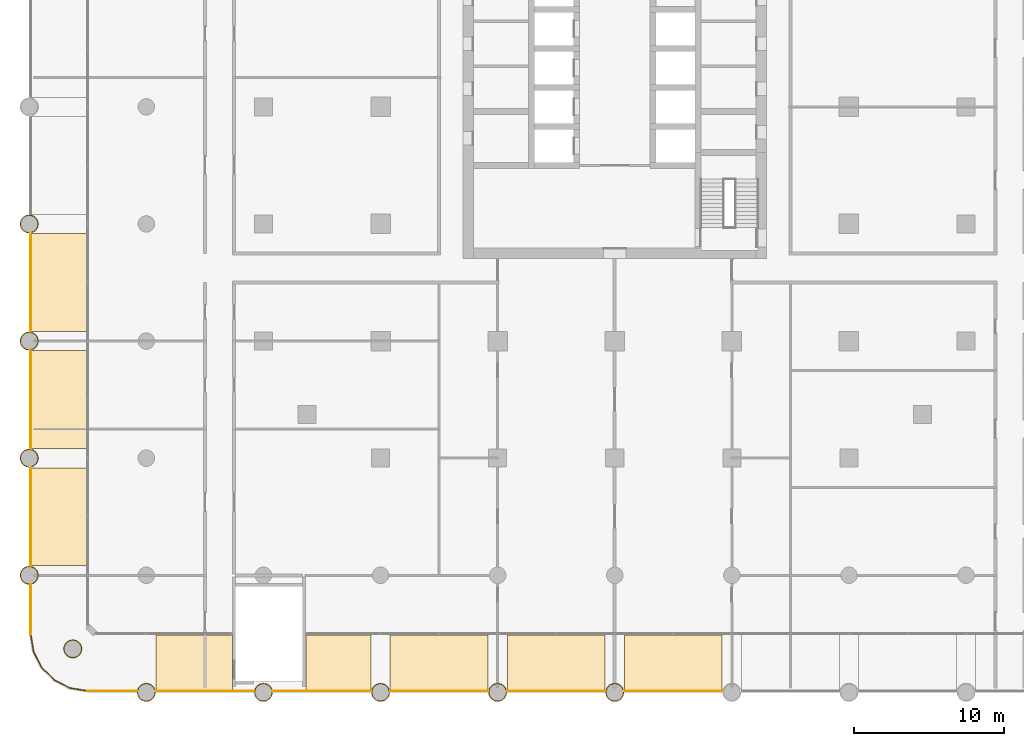
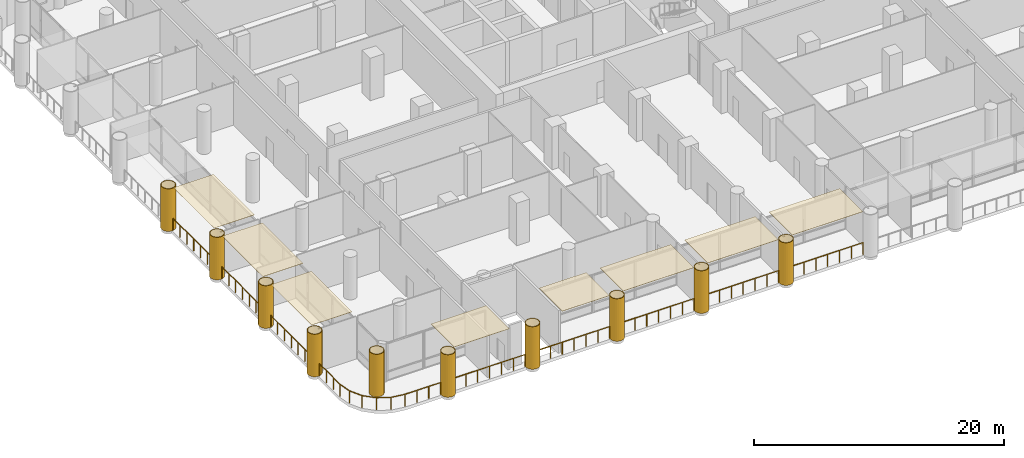
# One storey, part 19 of 23: 18 coverings, 11 railings.
"""IFC4 building model written with IfcOpenShell, lengths in metres."""

from ifc_helpers import new_model, si_unit, direction, frame, origin, origin_2d, place, context, subcontext, project, spatial, polyline, rectangle, circle, outline, extrude, material, layer, layer_set, type_object, element, save


model = new_model("IFC4")

# Units and contexts
model_context = context("Model", 3, precision=1e-05, world=origin(), true_north=direction((0.0, 1.0)))
body_context = subcontext(model_context, "Body", "Model", "MODEL_VIEW")
ifc_project = project(units=[si_unit("LENGTHUNIT", "METRE"), si_unit("AREAUNIT", "SQUARE_METRE"), si_unit("VOLUMEUNIT", "CUBIC_METRE"), si_unit("PLANEANGLEUNIT", "RADIAN"), si_unit("MASSUNIT", "GRAM", prefix="KILO")], contexts=[model_context])

# Site, building, storey
site_placement = place(None, origin())
site = spatial("IfcSite", under=ifc_project, at=site_placement, CompositionType="ELEMENT")
building_placement = place(site_placement, origin())
building = spatial("IfcBuilding", under=site, at=building_placement, Name="Ludao Terraces", CompositionType="ELEMENT")
storey_placement = place(building_placement, frame((0.0, 0.0, 10.5)))
storey = spatial("IfcBuildingStorey", under=building, at=storey_placement, Name="L02", CompositionType="ELEMENT", Elevation=10.5)

# Coverings
ifc_material_1 = material(Name="Stone-effect cement board ceiling lining", Category="masonry")
ifc_layer_1 = layer(ifc_material_1, 0.030029296875)
ifc_layer_set_1 = layer_set([ifc_layer_1], Name="ENV Arcade ceiling lining 30")
covering_type_1 = type_object("IfcCoveringType", Name="ENV Arcade ceiling lining 30", PredefinedType="CEILING", material=ifc_layer_set_1)
covering_1_placement = place(storey_placement, frame((56.985107421875, 27.9599609375, 4.169921875), z_axis=(0.0, 0.0, 1.0), x_axis=(1.0, 0.0, 0.0)))
element("IfcCovering", 1, at=covering_1_placement, inside=storey, type_object=covering_type_1, Name="CL-L02-S1", PredefinedType="CEILING", context=body_context, shape_type="SweptSolid", body=[
    extrude(rectangle(XDim=5.090087890625, YDim=3.719970703125, at=origin_2d()), origin(), (0.0, 0.0, 1.0), 0.030029296875),
])
covering_2_placement = place(storey_placement, frame((66.590087890625, 27.9599609375, 4.169921875), z_axis=(0.0, 0.0, 1.0), x_axis=(1.0, 0.0, 0.0)))
element("IfcCovering", 2, at=covering_2_placement, inside=storey, type_object=covering_type_1, Name="CL-L02-S2", PredefinedType="CEILING", context=body_context, shape_type="SweptSolid", body=[
    extrude(rectangle(XDim=4.340087890625, YDim=3.719970703125, at=origin_2d()), origin(), (0.0, 0.0, 1.0), 0.030029296875),
])
for number, where, z_axis, x_axis, name in (
    (3, (73.300048828125, 27.9599609375, 4.169921875), (0.0, 0.0, 1.0), (1.0, 0.0, 0.0), "CL-L02-S3"),
    (4, (81.10009765625, 27.9599609375, 4.169921875), (0.0, 0.0, 1.0), (1.0, 0.0, 0.0), "CL-L02-S4"),
    (5, (88.89990234375, 27.9599609375, 4.169921875), (0.0, 0.0, 1.0), (1.0, 0.0, 0.0), "CL-L02-S5"),
):
    element("IfcCovering", number, at=place(storey_placement, frame(where, z_axis=z_axis, x_axis=x_axis)), inside=storey, type_object=covering_type_1, Name=name, PredefinedType="CEILING", context=body_context, shape_type="SweptSolid", body=[
        extrude(rectangle(XDim=6.52001953125, YDim=3.719970703125, at=origin_2d()), origin(), (0.0, 0.0, 1.0), 0.030029296875),
    ])
for number, where, z_axis, x_axis, name in (
    (6, (47.9599609375, 37.699951171875, 4.169921875), (0.0, 0.0, 1.0), (1.0, 0.0, 0.0), "CL-L02-W1"),
    (7, (47.9599609375, 45.5, 4.169921875), (0.0, 0.0, 1.0), (1.0, 0.0, 0.0), "CL-L02-W2"),
    (8, (47.9599609375, 53.300048828125, 4.169921875), (0.0, 0.0, 1.0), (1.0, 0.0, 0.0), "CL-L02-W3"),
):
    element("IfcCovering", number, at=place(storey_placement, frame(where, z_axis=z_axis, x_axis=x_axis)), inside=storey, type_object=covering_type_1, Name=name, PredefinedType="CEILING", context=body_context, shape_type="SweptSolid", body=[
        extrude(rectangle(XDim=3.719970703125, YDim=6.52001953125, at=origin_2d()), origin(), (0.0, 0.0, 1.0), 0.030029296875),
    ])

# Railings
ifc_material_2 = material(Name="Steel Q235", Category="steel")
railing_type = type_object("IfcRailingType", Name="ENV Open-edge guard 1200", PredefinedType="GUARDRAIL", material=ifc_material_2)
railing_1_placement = place(storey_placement, frame((49.89990234375, 26.10009765625, 0.0)))
element("IfcRailing", 9, at=railing_1_placement, inside=storey, type_object=railing_type, Name="Guard L02 S1", PredefinedType="GUARDRAIL", context=body_context, shape_type="SweptSolid", body=[
    extrude(circle(Radius=0.02392578125, at=origin_2d()), frame((0.0, 0.0, 1.17578125), z_axis=(1.0, 0.0, 0.0), x_axis=(0.0, 1.0, 0.0)), (0.0, 0.0, 1.0), 3.280029296875),
    extrude(circle(Radius=0.02099609375, at=origin_2d()), origin(), (0.0, 0.0, 1.0), 1.15185546875),
    extrude(circle(Radius=0.02099609375, at=origin_2d()), frame((1.09326171875, 0.0, 0.0)), (0.0, 0.0, 1.0), 1.15185546875),
    extrude(circle(Radius=0.02099609375, at=origin_2d()), frame((2.186767578125, 0.0, 0.0)), (0.0, 0.0, 1.0), 1.15185546875),
    extrude(circle(Radius=0.02099609375, at=origin_2d()), frame((3.280029296875, 0.0, 0.0)), (0.0, 0.0, 1.0), 1.15185546875),
])
for number, where, name in (
    (10, (54.419921875, 26.10009765625, 0.0), "Guard L02 S2"),
    (11, (62.219970703125, 26.10009765625, 0.0), "Guard L02 S3"),
    (12, (70.02001953125, 26.10009765625, 0.0), "Guard L02 S4"),
):
    element("IfcRailing", number, at=place(storey_placement, frame(where)), inside=storey, type_object=railing_type, Name=name, PredefinedType="GUARDRAIL", context=body_context, shape_type="SweptSolid", body=[
        extrude(circle(Radius=0.02392578125, at=origin_2d()), frame((0.0, 0.0, 1.17578125), z_axis=(1.0, 0.0, 0.0), x_axis=(0.0, 1.0, 0.0)), (0.0, 0.0, 1.0), 6.56005859375),
        extrude(circle(Radius=0.02099609375, at=origin_2d()), origin(), (0.0, 0.0, 1.0), 1.15185546875),
        extrude(circle(Radius=0.02099609375, at=origin_2d()), frame((1.09326171875, 0.0, 0.0)), (0.0, 0.0, 1.0), 1.15185546875),
        extrude(circle(Radius=0.02099609375, at=origin_2d()), frame((2.186767578125, 0.0, 0.0)), (0.0, 0.0, 1.0), 1.15185546875),
        extrude(circle(Radius=0.02099609375, at=origin_2d()), frame((3.280029296875, 0.0, 0.0)), (0.0, 0.0, 1.0), 1.15185546875),
        extrude(circle(Radius=0.02099609375, at=origin_2d()), frame((4.373291015625, 0.0, 0.0)), (0.0, 0.0, 1.0), 1.15185546875),
        extrude(circle(Radius=0.02099609375, at=origin_2d()), frame((5.466796875, 0.0, 0.0)), (0.0, 0.0, 1.0), 1.15185546875),
        extrude(circle(Radius=0.02099609375, at=origin_2d()), frame((6.56005859375, 0.0, 0.0)), (0.0, 0.0, 1.0), 1.15185546875),
    ])
for number, where, name in (
    (13, (77.820068359375, 26.10009765625, 0.0), "Guard L02 S5"),
    (14, (85.6201171875, 26.10009765625, 0.0), "Guard L02 S6"),
):
    element("IfcRailing", number, at=place(storey_placement, frame(where)), inside=storey, type_object=railing_type, Name=name, PredefinedType="GUARDRAIL", context=body_context, shape_type="SweptSolid", body=[
        extrude(circle(Radius=0.02392578125, at=origin_2d()), frame((0.0, 0.0, 1.17578125), z_axis=(1.0, 0.0, 0.0), x_axis=(0.0, 1.0, 0.0)), (0.0, 0.0, 1.0), 6.559814453125),
        extrude(circle(Radius=0.02099609375, at=origin_2d()), origin(), (0.0, 0.0, 1.0), 1.15185546875),
        extrude(circle(Radius=0.02099609375, at=origin_2d()), frame((1.09326171875, 0.0, 0.0)), (0.0, 0.0, 1.0), 1.15185546875),
        extrude(circle(Radius=0.02099609375, at=origin_2d()), frame((2.1865234375, 0.0, 0.0)), (0.0, 0.0, 1.0), 1.15185546875),
        extrude(circle(Radius=0.02099609375, at=origin_2d()), frame((3.27978515625, 0.0, 0.0)), (0.0, 0.0, 1.0), 1.15185546875),
        extrude(circle(Radius=0.02099609375, at=origin_2d()), frame((4.373291015625, 0.0, 0.0)), (0.0, 0.0, 1.0), 1.15185546875),
        extrude(circle(Radius=0.02099609375, at=origin_2d()), frame((5.466552734375, 0.0, 0.0)), (0.0, 0.0, 1.0), 1.15185546875),
        extrude(circle(Radius=0.02099609375, at=origin_2d()), frame((6.559814453125, 0.0, 0.0)), (0.0, 0.0, 1.0), 1.15185546875),
    ])
railing_2_placement = place(storey_placement, frame((46.10009765625, 29.89990234375, 0.0)))
element("IfcRailing", 15, at=railing_2_placement, inside=storey, type_object=railing_type, Name="Guard L02 W1", PredefinedType="GUARDRAIL", context=body_context, shape_type="SweptSolid", body=[
    extrude(circle(Radius=0.02392578125, at=origin_2d()), frame((0.0, 0.0, 1.17578125), z_axis=(0.0, 1.0, 0.0), x_axis=(-1.0, 0.0, 0.0)), (0.0, 0.0, 1.0), 3.280029296875),
    extrude(circle(Radius=0.02099609375, at=origin_2d()), origin(), (0.0, 0.0, 1.0), 1.15185546875),
    extrude(circle(Radius=0.02099609375, at=origin_2d()), frame((0.0, 1.09326171875, 0.0)), (0.0, 0.0, 1.0), 1.15185546875),
    extrude(circle(Radius=0.02099609375, at=origin_2d()), frame((0.0, 2.186767578125, 0.0)), (0.0, 0.0, 1.0), 1.15185546875),
    extrude(circle(Radius=0.02099609375, at=origin_2d()), frame((0.0, 3.280029296875, 0.0)), (0.0, 0.0, 1.0), 1.15185546875),
])
for number, where, name in (
    (16, (46.10009765625, 34.419921875, 0.0), "Guard L02 W2"),
    (17, (46.10009765625, 42.219970703125, 0.0), "Guard L02 W3"),
    (18, (46.10009765625, 50.02001953125, 0.0), "Guard L02 W4"),
):
    element("IfcRailing", number, at=place(storey_placement, frame(where)), inside=storey, type_object=railing_type, Name=name, PredefinedType="GUARDRAIL", context=body_context, shape_type="SweptSolid", body=[
        extrude(circle(Radius=0.02392578125, at=origin_2d()), frame((0.0, 0.0, 1.17578125), z_axis=(0.0, 1.0, 0.0), x_axis=(-1.0, 0.0, 0.0)), (0.0, 0.0, 1.0), 6.56005859375),
        extrude(circle(Radius=0.02099609375, at=origin_2d()), origin(), (0.0, 0.0, 1.0), 1.15185546875),
        extrude(circle(Radius=0.02099609375, at=origin_2d()), frame((0.0, 1.09326171875, 0.0)), (0.0, 0.0, 1.0), 1.15185546875),
        extrude(circle(Radius=0.02099609375, at=origin_2d()), frame((0.0, 2.186767578125, 0.0)), (0.0, 0.0, 1.0), 1.15185546875),
        extrude(circle(Radius=0.02099609375, at=origin_2d()), frame((0.0, 3.280029296875, 0.0)), (0.0, 0.0, 1.0), 1.15185546875),
        extrude(circle(Radius=0.02099609375, at=origin_2d()), frame((0.0, 4.373291015625, 0.0)), (0.0, 0.0, 1.0), 1.15185546875),
        extrude(circle(Radius=0.02099609375, at=origin_2d()), frame((0.0, 5.466796875, 0.0)), (0.0, 0.0, 1.0), 1.15185546875),
        extrude(circle(Radius=0.02099609375, at=origin_2d()), frame((0.0, 6.56005859375, 0.0)), (0.0, 0.0, 1.0), 1.15185546875),
    ])
railing_3_placement = place(storey_placement, frame((46.10009765625, 29.89990234375, 0.0)))
element("IfcRailing", 19, at=railing_3_placement, inside=storey, type_object=railing_type, Name="Guard L02 SW", PredefinedType="GUARDRAIL", context=body_context, shape_type="SweptSolid", body=[
    extrude(circle(Radius=0.02392578125, at=origin_2d()), frame((0.0, 0.0, 1.17578125), z_axis=(0.156300066377, -0.987709617879, 0.0), x_axis=(0.987709617879, 0.156300066377, 0.0)), (0.0, 0.0, 1.0), 1.188720703125),
    extrude(circle(Radius=0.02392578125, at=origin_2d()), frame((0.185791015625, -1.174072265625, 1.17578125), z_axis=(0.454018062405, -0.890992479772, 0.0), x_axis=(0.890992479772, 0.454018062405, 0.0)), (0.0, 0.0, 1.0), 1.18896484375),
    extrude(circle(Radius=0.02392578125, at=origin_2d()), frame((0.7255859375, -2.2333984375, 1.17578125), z_axis=(0.707106781187, -0.707106781187, 0.0), x_axis=(0.707106781187, 0.707106781187, 0.0)), (0.0, 0.0, 1.0), 1.189208984375),
    extrude(circle(Radius=0.02392578125, at=origin_2d()), frame((1.56640625, -3.07421875, 1.17578125), z_axis=(0.890992479772, -0.454018062405, 0.0), x_axis=(0.454018062405, 0.890992479772, 0.0)), (0.0, 0.0, 1.0), 1.18896484375),
    extrude(circle(Radius=0.02392578125, at=origin_2d()), frame((2.625732421875, -3.614013671875, 1.17578125), z_axis=(0.987709617879, -0.156300066377, 0.0), x_axis=(0.156300066377, 0.987709617879, 0.0)), (0.0, 0.0, 1.0), 1.188720703125),
    extrude(circle(Radius=0.02099609375, at=origin_2d()), origin(), (0.0, 0.0, 1.0), 1.15185546875),
    extrude(circle(Radius=0.02099609375, at=origin_2d()), frame((0.185791015625, -1.174072265625, 0.0)), (0.0, 0.0, 1.0), 1.15185546875),
    extrude(circle(Radius=0.02099609375, at=origin_2d()), frame((0.7255859375, -2.2333984375, 0.0)), (0.0, 0.0, 1.0), 1.15185546875),
    extrude(circle(Radius=0.02099609375, at=origin_2d()), frame((1.56640625, -3.07421875, 0.0)), (0.0, 0.0, 1.0), 1.15185546875),
    extrude(circle(Radius=0.02099609375, at=origin_2d()), frame((2.625732421875, -3.614013671875, 0.0)), (0.0, 0.0, 1.0), 1.15185546875),
    extrude(circle(Radius=0.02099609375, at=origin_2d()), frame((3.7998046875, -3.7998046875, 0.0)), (0.0, 0.0, 1.0), 1.15185546875),
])

# Coverings
ifc_material_3 = material(Name="Granite cladding", Category="masonry")
ifc_layer_2 = layer(ifc_material_3, 0.06005859375)
ifc_layer_set_2 = layer_set([ifc_layer_2], Name="ENV Stone column casing 60")
covering_type_2 = type_object("IfcCoveringType", Name="ENV Stone column casing 60", PredefinedType="CLADDING", material=ifc_layer_set_2)
covering_3_placement = place(storey_placement, origin())
element("IfcCovering", 20, at=covering_3_placement, inside=storey, type_object=covering_type_2, Name="CC-L02-G-127x-127", PredefinedType="CLADDING", context=body_context, shape_type="SweptSolid", body=[
    extrude(outline(polyline([(49.5146484375, 28.89990234375), (49.493896484375, 29.05908203125), (49.432373046875, 29.207275390625), (49.334716796875, 29.334716796875), (49.207275390625, 29.432373046875), (49.05908203125, 29.493896484375), (48.89990234375, 29.5146484375), (48.740966796875, 29.493896484375), (48.592529296875, 29.432373046875), (48.46533203125, 29.334716796875), (48.36767578125, 29.207275390625), (48.30615234375, 29.05908203125), (48.28515625, 28.89990234375), (48.30615234375, 28.740966796875), (48.36767578125, 28.592529296875), (48.46533203125, 28.46533203125), (48.592529296875, 28.36767578125), (48.740966796875, 28.30615234375), (48.89990234375, 28.28515625), (49.05908203125, 28.30615234375), (49.207275390625, 28.36767578125), (49.334716796875, 28.46533203125), (49.432373046875, 28.592529296875), (49.493896484375, 28.740966796875), (49.5146484375, 28.89990234375)]), holes=[polyline([(49.435791015625, 28.75634765625), (49.38037109375, 28.62255859375), (49.292236328125, 28.5078125), (49.177490234375, 28.419677734375), (49.04345703125, 28.3642578125), (48.89990234375, 28.34521484375), (48.75634765625, 28.3642578125), (48.62255859375, 28.419677734375), (48.5078125, 28.5078125), (48.419677734375, 28.62255859375), (48.3642578125, 28.75634765625), (48.34521484375, 28.89990234375), (48.3642578125, 29.04345703125), (48.419677734375, 29.177490234375), (48.5078125, 29.292236328125), (48.62255859375, 29.38037109375), (48.75634765625, 29.435791015625), (48.89990234375, 29.454833984375), (49.04345703125, 29.435791015625), (49.177490234375, 29.38037109375), (49.292236328125, 29.292236328125), (49.38037109375, 29.177490234375), (49.435791015625, 29.04345703125), (49.454833984375, 28.89990234375), (49.435791015625, 28.75634765625)])]), origin(), (0.0, 0.0, 1.0), 4.14990234375),
])
covering_4_placement = place(storey_placement, origin())
element("IfcCovering", 21, at=covering_4_placement, inside=storey, type_object=covering_type_2, Name="CC-L02-G-156x-078", PredefinedType="CLADDING", context=body_context, shape_type="SweptSolid", body=[
    extrude(outline(polyline([(46.61474609375, 33.800048828125), (46.59375, 33.959228515625), (46.532470703125, 34.107421875), (46.4345703125, 34.234619140625), (46.307373046875, 34.332275390625), (46.1591796875, 34.393798828125), (46.0, 34.414794921875), (45.8408203125, 34.393798828125), (45.692626953125, 34.332275390625), (45.5654296875, 34.234619140625), (45.467529296875, 34.107421875), (45.40625, 33.959228515625), (45.38525390625, 33.800048828125), (45.40625, 33.640869140625), (45.467529296875, 33.49267578125), (45.5654296875, 33.365234375), (45.692626953125, 33.267578125), (45.8408203125, 33.206298828125), (46.0, 33.185302734375), (46.1591796875, 33.206298828125), (46.307373046875, 33.267578125), (46.4345703125, 33.365234375), (46.532470703125, 33.49267578125), (46.59375, 33.640869140625), (46.61474609375, 33.800048828125)]), holes=[polyline([(46.535888671875, 33.656494140625), (46.48046875, 33.522705078125), (46.392333984375, 33.40771484375), (46.27734375, 33.319580078125), (46.1435546875, 33.26416015625), (46.0, 33.245361328125), (45.8564453125, 33.26416015625), (45.72265625, 33.319580078125), (45.607666015625, 33.40771484375), (45.51953125, 33.522705078125), (45.464111328125, 33.656494140625), (45.4453125, 33.800048828125), (45.464111328125, 33.943603515625), (45.51953125, 34.077392578125), (45.607666015625, 34.1923828125), (45.72265625, 34.280517578125), (45.8564453125, 34.3359375), (46.0, 34.354736328125), (46.1435546875, 34.3359375), (46.27734375, 34.280517578125), (46.392333984375, 34.1923828125), (46.48046875, 34.077392578125), (46.535888671875, 33.943603515625), (46.5546875, 33.800048828125), (46.535888671875, 33.656494140625)])]), origin(), (0.0, 0.0, 1.0), 4.14990234375),
])
covering_5_placement = place(storey_placement, origin())
element("IfcCovering", 22, at=covering_5_placement, inside=storey, type_object=covering_type_2, Name="CC-L02-G-156x0000", PredefinedType="CLADDING", context=body_context, shape_type="SweptSolid", body=[
    extrude(outline(polyline([(46.61474609375, 41.60009765625), (46.59375, 41.759033203125), (46.532470703125, 41.907470703125), (46.4345703125, 42.03466796875), (46.307373046875, 42.13232421875), (46.1591796875, 42.19384765625), (46.0, 42.21484375), (45.8408203125, 42.19384765625), (45.692626953125, 42.13232421875), (45.5654296875, 42.03466796875), (45.467529296875, 41.907470703125), (45.40625, 41.759033203125), (45.38525390625, 41.60009765625), (45.40625, 41.44091796875), (45.467529296875, 41.292724609375), (45.5654296875, 41.165283203125), (45.692626953125, 41.067626953125), (45.8408203125, 41.006103515625), (46.0, 40.9853515625), (46.1591796875, 41.006103515625), (46.307373046875, 41.067626953125), (46.4345703125, 41.165283203125), (46.532470703125, 41.292724609375), (46.59375, 41.44091796875), (46.61474609375, 41.60009765625)]), holes=[polyline([(46.535888671875, 41.45654296875), (46.48046875, 41.322509765625), (46.392333984375, 41.207763671875), (46.27734375, 41.11962890625), (46.1435546875, 41.064208984375), (46.0, 41.045166015625), (45.8564453125, 41.064208984375), (45.72265625, 41.11962890625), (45.607666015625, 41.207763671875), (45.51953125, 41.322509765625), (45.464111328125, 41.45654296875), (45.4453125, 41.60009765625), (45.464111328125, 41.74365234375), (45.51953125, 41.87744140625), (45.607666015625, 41.9921875), (45.72265625, 42.080322265625), (45.8564453125, 42.1357421875), (46.0, 42.15478515625), (46.1435546875, 42.1357421875), (46.27734375, 42.080322265625), (46.392333984375, 41.9921875), (46.48046875, 41.87744140625), (46.535888671875, 41.74365234375), (46.5546875, 41.60009765625), (46.535888671875, 41.45654296875)])]), origin(), (0.0, 0.0, 1.0), 4.14990234375),
])
covering_6_placement = place(storey_placement, origin())
element("IfcCovering", 23, at=covering_6_placement, inside=storey, type_object=covering_type_2, Name="CC-L02-G-156x0078", PredefinedType="CLADDING", context=body_context, shape_type="SweptSolid", body=[
    extrude(outline(polyline([(46.61474609375, 49.39990234375), (46.59375, 49.55908203125), (46.532470703125, 49.707275390625), (46.4345703125, 49.834716796875), (46.307373046875, 49.932373046875), (46.1591796875, 49.993896484375), (46.0, 50.0146484375), (45.8408203125, 49.993896484375), (45.692626953125, 49.932373046875), (45.5654296875, 49.834716796875), (45.467529296875, 49.707275390625), (45.40625, 49.55908203125), (45.38525390625, 49.39990234375), (45.40625, 49.240966796875), (45.467529296875, 49.092529296875), (45.5654296875, 48.96533203125), (45.692626953125, 48.86767578125), (45.8408203125, 48.80615234375), (46.0, 48.78515625), (46.1591796875, 48.80615234375), (46.307373046875, 48.86767578125), (46.4345703125, 48.96533203125), (46.532470703125, 49.092529296875), (46.59375, 49.240966796875), (46.61474609375, 49.39990234375)]), holes=[polyline([(46.535888671875, 49.25634765625), (46.48046875, 49.12255859375), (46.392333984375, 49.0078125), (46.27734375, 48.919677734375), (46.1435546875, 48.8642578125), (46.0, 48.84521484375), (45.8564453125, 48.8642578125), (45.72265625, 48.919677734375), (45.607666015625, 49.0078125), (45.51953125, 49.12255859375), (45.464111328125, 49.25634765625), (45.4453125, 49.39990234375), (45.464111328125, 49.54345703125), (45.51953125, 49.677490234375), (45.607666015625, 49.792236328125), (45.72265625, 49.88037109375), (45.8564453125, 49.935791015625), (46.0, 49.954833984375), (46.1435546875, 49.935791015625), (46.27734375, 49.88037109375), (46.392333984375, 49.792236328125), (46.48046875, 49.677490234375), (46.535888671875, 49.54345703125), (46.5546875, 49.39990234375), (46.535888671875, 49.25634765625)])]), origin(), (0.0, 0.0, 1.0), 4.14990234375),
])
covering_7_placement = place(storey_placement, origin())
element("IfcCovering", 24, at=covering_7_placement, inside=storey, type_object=covering_type_2, Name="CC-L02-G-156x0156", PredefinedType="CLADDING", context=body_context, shape_type="SweptSolid", body=[
    extrude(outline(polyline([(46.61474609375, 57.199951171875), (46.59375, 57.359130859375), (46.532470703125, 57.50732421875), (46.4345703125, 57.634765625), (46.307373046875, 57.732421875), (46.1591796875, 57.793701171875), (46.0, 57.814697265625), (45.8408203125, 57.793701171875), (45.692626953125, 57.732421875), (45.5654296875, 57.634765625), (45.467529296875, 57.50732421875), (45.40625, 57.359130859375), (45.38525390625, 57.199951171875), (45.40625, 57.040771484375), (45.467529296875, 56.892578125), (45.5654296875, 56.765380859375), (45.692626953125, 56.667724609375), (45.8408203125, 56.606201171875), (46.0, 56.585205078125), (46.1591796875, 56.606201171875), (46.307373046875, 56.667724609375), (46.4345703125, 56.765380859375), (46.532470703125, 56.892578125), (46.59375, 57.040771484375), (46.61474609375, 57.199951171875)]), holes=[polyline([(46.535888671875, 57.056396484375), (46.48046875, 56.922607421875), (46.392333984375, 56.8076171875), (46.27734375, 56.719482421875), (46.1435546875, 56.6640625), (46.0, 56.645263671875), (45.8564453125, 56.6640625), (45.72265625, 56.719482421875), (45.607666015625, 56.8076171875), (45.51953125, 56.922607421875), (45.464111328125, 57.056396484375), (45.4453125, 57.199951171875), (45.464111328125, 57.343505859375), (45.51953125, 57.477294921875), (45.607666015625, 57.59228515625), (45.72265625, 57.680419921875), (45.8564453125, 57.73583984375), (46.0, 57.754638671875), (46.1435546875, 57.73583984375), (46.27734375, 57.680419921875), (46.392333984375, 57.59228515625), (46.48046875, 57.477294921875), (46.535888671875, 57.343505859375), (46.5546875, 57.199951171875), (46.535888671875, 57.056396484375)])]), origin(), (0.0, 0.0, 1.0), 4.14990234375),
])
covering_8_placement = place(storey_placement, origin())
element("IfcCovering", 25, at=covering_8_placement, inside=storey, type_object=covering_type_2, Name="CC-L02-G-078x-156", PredefinedType="CLADDING", context=body_context, shape_type="SweptSolid", body=[
    extrude(outline(polyline([(54.414794921875, 26.0), (54.393798828125, 26.1591796875), (54.332275390625, 26.307373046875), (54.234619140625, 26.4345703125), (54.107421875, 26.532470703125), (53.959228515625, 26.59375), (53.800048828125, 26.61474609375), (53.640869140625, 26.59375), (53.49267578125, 26.532470703125), (53.365234375, 26.4345703125), (53.267578125, 26.307373046875), (53.206298828125, 26.1591796875), (53.185302734375, 26.0), (53.206298828125, 25.8408203125), (53.267578125, 25.692626953125), (53.365234375, 25.5654296875), (53.49267578125, 25.467529296875), (53.640869140625, 25.40625), (53.800048828125, 25.38525390625), (53.959228515625, 25.40625), (54.107421875, 25.467529296875), (54.234619140625, 25.5654296875), (54.332275390625, 25.692626953125), (54.393798828125, 25.8408203125), (54.414794921875, 26.0)]), holes=[polyline([(54.3359375, 25.8564453125), (54.280517578125, 25.72265625), (54.1923828125, 25.607666015625), (54.077392578125, 25.51953125), (53.943603515625, 25.464111328125), (53.800048828125, 25.4453125), (53.656494140625, 25.464111328125), (53.522705078125, 25.51953125), (53.40771484375, 25.607666015625), (53.319580078125, 25.72265625), (53.26416015625, 25.8564453125), (53.245361328125, 26.0), (53.26416015625, 26.1435546875), (53.319580078125, 26.27734375), (53.40771484375, 26.392333984375), (53.522705078125, 26.48046875), (53.656494140625, 26.535888671875), (53.800048828125, 26.5546875), (53.943603515625, 26.535888671875), (54.077392578125, 26.48046875), (54.1923828125, 26.392333984375), (54.280517578125, 26.27734375), (54.3359375, 26.1435546875), (54.354736328125, 26.0), (54.3359375, 25.8564453125)])]), origin(), (0.0, 0.0, 1.0), 4.14990234375),
])
covering_9_placement = place(storey_placement, origin())
element("IfcCovering", 26, at=covering_9_placement, inside=storey, type_object=covering_type_2, Name="CC-L02-G0000x-156", PredefinedType="CLADDING", context=body_context, shape_type="SweptSolid", body=[
    extrude(outline(polyline([(62.21484375, 26.0), (62.19384765625, 26.1591796875), (62.13232421875, 26.307373046875), (62.03466796875, 26.4345703125), (61.907470703125, 26.532470703125), (61.759033203125, 26.59375), (61.60009765625, 26.61474609375), (61.44091796875, 26.59375), (61.292724609375, 26.532470703125), (61.165283203125, 26.4345703125), (61.067626953125, 26.307373046875), (61.006103515625, 26.1591796875), (60.9853515625, 26.0), (61.006103515625, 25.8408203125), (61.067626953125, 25.692626953125), (61.165283203125, 25.5654296875), (61.292724609375, 25.467529296875), (61.44091796875, 25.40625), (61.60009765625, 25.38525390625), (61.759033203125, 25.40625), (61.907470703125, 25.467529296875), (62.03466796875, 25.5654296875), (62.13232421875, 25.692626953125), (62.19384765625, 25.8408203125), (62.21484375, 26.0)]), holes=[polyline([(62.1357421875, 25.8564453125), (62.080322265625, 25.72265625), (61.9921875, 25.607666015625), (61.87744140625, 25.51953125), (61.74365234375, 25.464111328125), (61.60009765625, 25.4453125), (61.45654296875, 25.464111328125), (61.322509765625, 25.51953125), (61.207763671875, 25.607666015625), (61.11962890625, 25.72265625), (61.064208984375, 25.8564453125), (61.045166015625, 26.0), (61.064208984375, 26.1435546875), (61.11962890625, 26.27734375), (61.207763671875, 26.392333984375), (61.322509765625, 26.48046875), (61.45654296875, 26.535888671875), (61.60009765625, 26.5546875), (61.74365234375, 26.535888671875), (61.87744140625, 26.48046875), (61.9921875, 26.392333984375), (62.080322265625, 26.27734375), (62.1357421875, 26.1435546875), (62.15478515625, 26.0), (62.1357421875, 25.8564453125)])]), origin(), (0.0, 0.0, 1.0), 4.14990234375),
])
covering_10_placement = place(storey_placement, origin())
element("IfcCovering", 27, at=covering_10_placement, inside=storey, type_object=covering_type_2, Name="CC-L02-G0078x-156", PredefinedType="CLADDING", context=body_context, shape_type="SweptSolid", body=[
    extrude(outline(polyline([(70.0146484375, 26.0), (69.993896484375, 26.1591796875), (69.932373046875, 26.307373046875), (69.834716796875, 26.4345703125), (69.707275390625, 26.532470703125), (69.55908203125, 26.59375), (69.39990234375, 26.61474609375), (69.240966796875, 26.59375), (69.092529296875, 26.532470703125), (68.96533203125, 26.4345703125), (68.86767578125, 26.307373046875), (68.80615234375, 26.1591796875), (68.78515625, 26.0), (68.80615234375, 25.8408203125), (68.86767578125, 25.692626953125), (68.96533203125, 25.5654296875), (69.092529296875, 25.467529296875), (69.240966796875, 25.40625), (69.39990234375, 25.38525390625), (69.55908203125, 25.40625), (69.707275390625, 25.467529296875), (69.834716796875, 25.5654296875), (69.932373046875, 25.692626953125), (69.993896484375, 25.8408203125), (70.0146484375, 26.0)]), holes=[polyline([(69.935791015625, 25.8564453125), (69.88037109375, 25.72265625), (69.792236328125, 25.607666015625), (69.677490234375, 25.51953125), (69.54345703125, 25.464111328125), (69.39990234375, 25.4453125), (69.25634765625, 25.464111328125), (69.12255859375, 25.51953125), (69.0078125, 25.607666015625), (68.919677734375, 25.72265625), (68.8642578125, 25.8564453125), (68.84521484375, 26.0), (68.8642578125, 26.1435546875), (68.919677734375, 26.27734375), (69.0078125, 26.392333984375), (69.12255859375, 26.48046875), (69.25634765625, 26.535888671875), (69.39990234375, 26.5546875), (69.54345703125, 26.535888671875), (69.677490234375, 26.48046875), (69.792236328125, 26.392333984375), (69.88037109375, 26.27734375), (69.935791015625, 26.1435546875), (69.954833984375, 26.0), (69.935791015625, 25.8564453125)])]), origin(), (0.0, 0.0, 1.0), 4.14990234375),
])
covering_11_placement = place(storey_placement, origin())
element("IfcCovering", 28, at=covering_11_placement, inside=storey, type_object=covering_type_2, Name="CC-L02-G0156x-156", PredefinedType="CLADDING", context=body_context, shape_type="SweptSolid", body=[
    extrude(outline(polyline([(77.814697265625, 26.0), (77.793701171875, 26.1591796875), (77.732421875, 26.307373046875), (77.634765625, 26.4345703125), (77.50732421875, 26.532470703125), (77.359130859375, 26.59375), (77.199951171875, 26.61474609375), (77.040771484375, 26.59375), (76.892578125, 26.532470703125), (76.765380859375, 26.4345703125), (76.667724609375, 26.307373046875), (76.606201171875, 26.1591796875), (76.585205078125, 26.0), (76.606201171875, 25.8408203125), (76.667724609375, 25.692626953125), (76.765380859375, 25.5654296875), (76.892578125, 25.467529296875), (77.040771484375, 25.40625), (77.199951171875, 25.38525390625), (77.359130859375, 25.40625), (77.50732421875, 25.467529296875), (77.634765625, 25.5654296875), (77.732421875, 25.692626953125), (77.793701171875, 25.8408203125), (77.814697265625, 26.0)]), holes=[polyline([(77.73583984375, 25.8564453125), (77.680419921875, 25.72265625), (77.59228515625, 25.607666015625), (77.477294921875, 25.51953125), (77.343505859375, 25.464111328125), (77.199951171875, 25.4453125), (77.056396484375, 25.464111328125), (76.922607421875, 25.51953125), (76.8076171875, 25.607666015625), (76.719482421875, 25.72265625), (76.6640625, 25.8564453125), (76.645263671875, 26.0), (76.6640625, 26.1435546875), (76.719482421875, 26.27734375), (76.8076171875, 26.392333984375), (76.922607421875, 26.48046875), (77.056396484375, 26.535888671875), (77.199951171875, 26.5546875), (77.343505859375, 26.535888671875), (77.477294921875, 26.48046875), (77.59228515625, 26.392333984375), (77.680419921875, 26.27734375), (77.73583984375, 26.1435546875), (77.754638671875, 26.0), (77.73583984375, 25.8564453125)])]), origin(), (0.0, 0.0, 1.0), 4.14990234375),
])
covering_12_placement = place(storey_placement, origin())
element("IfcCovering", 29, at=covering_12_placement, inside=storey, type_object=covering_type_2, Name="CC-L02-G0234x-156", PredefinedType="CLADDING", context=body_context, shape_type="SweptSolid", body=[
    extrude(outline(polyline([(85.61474609375, 26.0), (85.59375, 26.1591796875), (85.532470703125, 26.307373046875), (85.4345703125, 26.4345703125), (85.307373046875, 26.532470703125), (85.1591796875, 26.59375), (85.0, 26.61474609375), (84.8408203125, 26.59375), (84.692626953125, 26.532470703125), (84.5654296875, 26.4345703125), (84.467529296875, 26.307373046875), (84.40625, 26.1591796875), (84.38525390625, 26.0), (84.40625, 25.8408203125), (84.467529296875, 25.692626953125), (84.5654296875, 25.5654296875), (84.692626953125, 25.467529296875), (84.8408203125, 25.40625), (85.0, 25.38525390625), (85.1591796875, 25.40625), (85.307373046875, 25.467529296875), (85.4345703125, 25.5654296875), (85.532470703125, 25.692626953125), (85.59375, 25.8408203125), (85.61474609375, 26.0)]), holes=[polyline([(85.535888671875, 25.8564453125), (85.48046875, 25.72265625), (85.392333984375, 25.607666015625), (85.27734375, 25.51953125), (85.1435546875, 25.464111328125), (85.0, 25.4453125), (84.8564453125, 25.464111328125), (84.72265625, 25.51953125), (84.607666015625, 25.607666015625), (84.51953125, 25.72265625), (84.464111328125, 25.8564453125), (84.4453125, 26.0), (84.464111328125, 26.1435546875), (84.51953125, 26.27734375), (84.607666015625, 26.392333984375), (84.72265625, 26.48046875), (84.8564453125, 26.535888671875), (85.0, 26.5546875), (85.1435546875, 26.535888671875), (85.27734375, 26.48046875), (85.392333984375, 26.392333984375), (85.48046875, 26.27734375), (85.535888671875, 26.1435546875), (85.5546875, 26.0), (85.535888671875, 25.8564453125)])]), origin(), (0.0, 0.0, 1.0), 4.14990234375),
])

save(model, "model.ifc")
